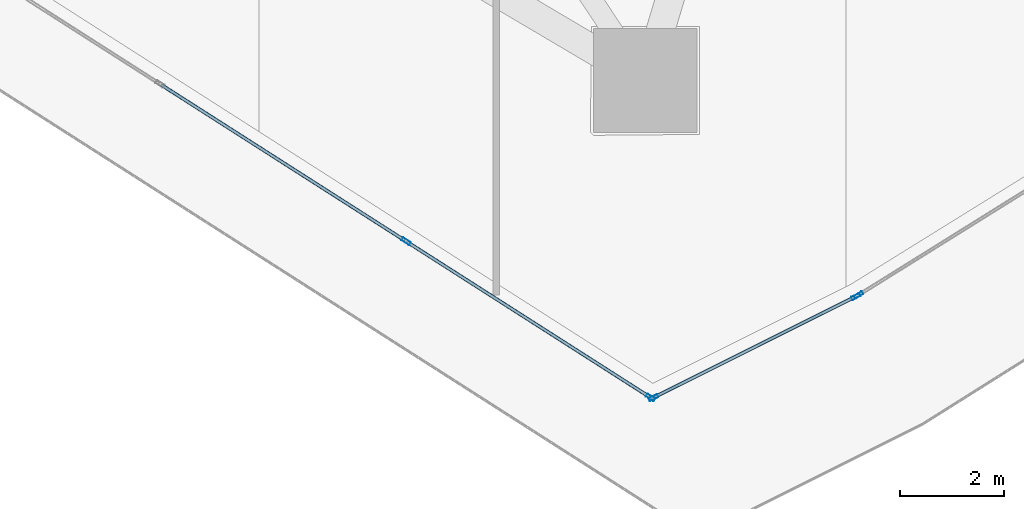
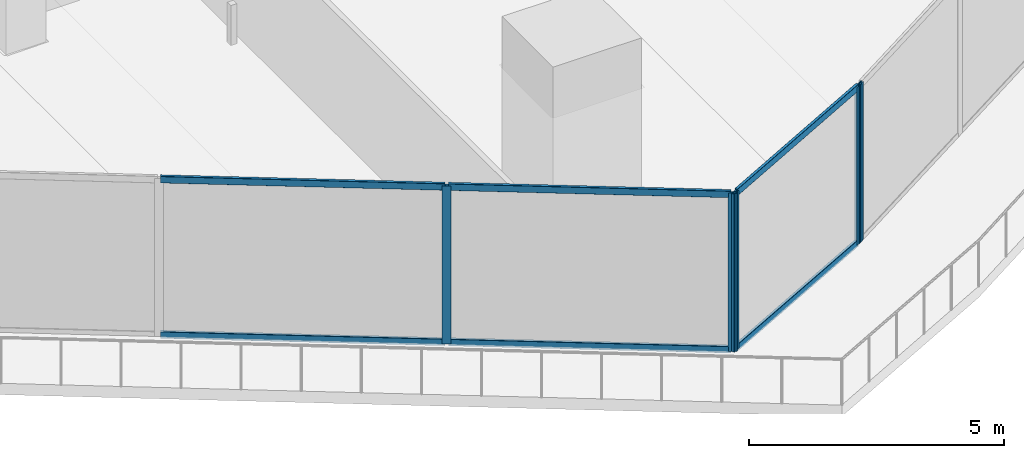
# One storey, part 9 of 37: 11 members, 3 elements without a shape of their own.
"""IFC4 building model written with IfcOpenShell, lengths in metres."""

from ifc_helpers import new_model, si_unit, direction, frame, origin, origin_2d, place, context, subcontext, project, spatial, hollow_rectangle, extrude, material, layer, layer_set, material_profile, profile_set, type_object, element, aggregate, save


model = new_model("IFC4")

# Units and contexts
model_context = context("Model", 3, precision=1e-05, world=origin(), true_north=direction((0.0, 1.0)))
body_context = subcontext(model_context, "Body", "Model", "MODEL_VIEW")
ifc_project = project(units=[si_unit("LENGTHUNIT", "METRE"), si_unit("AREAUNIT", "SQUARE_METRE"), si_unit("VOLUMEUNIT", "CUBIC_METRE"), si_unit("PLANEANGLEUNIT", "RADIAN"), si_unit("MASSUNIT", "GRAM", prefix="KILO")], contexts=[model_context])

# Site, building, storey
site_placement = place(None, origin())
site = spatial("IfcSite", under=ifc_project, at=site_placement, CompositionType="ELEMENT")
building_placement = place(site_placement, origin())
building = spatial("IfcBuilding", under=site, at=building_placement, Name="Qorvath Tower", CompositionType="ELEMENT")
storey_placement = place(building_placement, frame((0.0, 0.0, 196.949951171875)))
storey = spatial("IfcBuildingStorey", under=building, at=storey_placement, Name="L45", CompositionType="ELEMENT", Elevation=196.949951171875)

# Curtain wall, members
ifc_material_1 = material(Name="Anodised aluminium and triple low-E glass", Category="aluminium")
ifc_layer = layer(ifc_material_1, 0.179931640625)
ifc_layer_set = layer_set([ifc_layer], Name="CW-SYS-3")
curtain_wall_type = type_object("IfcCurtainWallType", Name="CW-SYS-3", PredefinedType="NOTDEFINED", material=ifc_layer_set)
curtain_wall_1_placement = place(storey_placement, origin())
curtain_wall_1 = element("IfcCurtainWall", 1, at=curtain_wall_1_placement, inside=storey, type_object=curtain_wall_type, Name="Curtain Wall CW-3 CW-T-L45-2.1", PredefinedType="NOTDEFINED")
ifc_material_2 = material(Name="Anodised aluminium 6063-T6", Category="aluminium")
ifc_material_profile_1 = material_profile(ifc_material_2, hollow_rectangle(XDim=0.06494140625, YDim=0.179931640625, WallThickness=0.00341796875, InnerFilletRadius=0.00341796875, OuterFilletRadius=0.007080078125, at=origin_2d()), Name="CWM 180x65")
ifc_profile_set_1 = profile_set([ifc_material_profile_1], Name="Anodised aluminium 6063-T6")
member_type_1 = type_object("IfcMemberType", Name="CWM-180", PredefinedType="MULLION", material=ifc_profile_set_1)
member_1_placement = place(storey_placement, frame((-21.495361328125, -24.733642578125, 0.0), z_axis=(0.0, 0.0, 1.0), x_axis=(0.538533623725, 0.842604020948, 0.0)))
member_1 = element("IfcMember", 2, at=member_1_placement, type_object=member_type_1, Name="CW-3 mullion 8", PredefinedType="MULLION", context=body_context, shape_type="SweptSolid", body=[
    extrude(hollow_rectangle(XDim=0.06494140625, YDim=0.179931640625, WallThickness=0.00341796875, InnerFilletRadius=0.00341796875, OuterFilletRadius=0.007080078125, at=origin_2d()), origin(), (0.0, 0.0, 1.0), 3.780029296875),
])
member_2_placement = place(storey_placement, frame((-16.770263671875, -27.75341796875, 0.0), z_axis=(0.0, 0.0, 1.0), x_axis=(0.538533623725, 0.842604020948, 0.0)))
member_2 = element("IfcMember", 3, at=member_2_placement, type_object=member_type_1, Name="CW-3 mullion 9", PredefinedType="MULLION", context=body_context, shape_type="SweptSolid", body=[
    extrude(hollow_rectangle(XDim=0.06494140625, YDim=0.179931640625, WallThickness=0.00341796875, InnerFilletRadius=0.00341796875, OuterFilletRadius=0.007080078125, at=origin_2d()), origin(), (0.0, 0.0, 1.0), 3.780029296875),
])

curtain_wall_2_placement = place(storey_placement, origin())
curtain_wall_2 = element("IfcCurtainWall", 4, at=curtain_wall_2_placement, inside=storey, type_object=curtain_wall_type, Name="Curtain Wall CW-3 CW-T-L45-3.1", PredefinedType="NOTDEFINED")
member_3_placement = place(storey_placement, frame((-16.7138671875, -27.75634765625, 0.0), z_axis=(0.0, 0.0, 1.0), x_axis=(-0.44720457744, 0.894431699973, 0.0)))
member_3 = element("IfcMember", 5, at=member_3_placement, type_object=member_type_1, Name="CW-3 mullion 1", PredefinedType="MULLION", context=body_context, shape_type="SweptSolid", body=[
    extrude(hollow_rectangle(XDim=0.06494140625, YDim=0.179931640625, WallThickness=0.00341796875, InnerFilletRadius=0.00341796875, OuterFilletRadius=0.007080078125, at=origin_2d()), origin(), (0.0, 0.0, 1.0), 3.780029296875),
])
member_4_placement = place(storey_placement, frame((-12.8046875, -25.802001953125, 0.0), z_axis=(0.0, 0.0, 1.0), x_axis=(-0.44720457744, 0.894431699973, 0.0)))
member_4 = element("IfcMember", 6, at=member_4_placement, type_object=member_type_1, Name="CW-3 mullion 2", PredefinedType="MULLION", context=body_context, shape_type="SweptSolid", body=[
    extrude(hollow_rectangle(XDim=0.06494140625, YDim=0.179931640625, WallThickness=0.00341796875, InnerFilletRadius=0.00341796875, OuterFilletRadius=0.007080078125, at=origin_2d()), origin(), (0.0, 0.0, 1.0), 3.780029296875),
])

# Curtain wall, member
curtain_wall_3_placement = place(storey_placement, origin())
curtain_wall_3 = element("IfcCurtainWall", 7, at=curtain_wall_3_placement, inside=storey, type_object=curtain_wall_type, Name="Curtain Wall CW-3 CW-T-L45-4.1", PredefinedType="NOTDEFINED")
member_5_placement = place(storey_placement, frame((-12.748046875, -25.770263671875, 0.0), z_axis=(0.0, 0.0, 1.0), x_axis=(-0.529206179006, 0.848493264618, 0.0)))
member_5 = element("IfcMember", 8, at=member_5_placement, type_object=member_type_1, Name="CW-3 mullion 1", PredefinedType="MULLION", context=body_context, shape_type="SweptSolid", body=[
    extrude(hollow_rectangle(XDim=0.06494140625, YDim=0.179931640625, WallThickness=0.00341796875, InnerFilletRadius=0.00341796875, OuterFilletRadius=0.007080078125, at=origin_2d()), origin(), (0.0, 0.0, 1.0), 3.780029296875),
])
aggregate(curtain_wall_3, [member_5])

# Member
ifc_material_3 = material(Name="Anodised aluminium 6063-T6", Category="aluminium")
ifc_material_profile_2 = material_profile(ifc_material_3, hollow_rectangle(XDim=0.06494140625, YDim=0.159912109375, WallThickness=0.00341796875, InnerFilletRadius=0.00341796875, OuterFilletRadius=0.007080078125, at=origin_2d()), Name="CWT 160x65")
ifc_profile_set_2 = profile_set([ifc_material_profile_2], Name="Anodised aluminium 6063-T6")
member_type_2 = type_object("IfcMemberType", Name="CWT-160", PredefinedType="USERDEFINED", material=ifc_profile_set_2)
member_6_placement = place(storey_placement, frame((-26.220458984375, -21.713623046875, 0.032470703125), z_axis=(0.842606844645, -0.538529205667, 0.0), x_axis=(0.538529205667, 0.842606844645, 0.0)))
member_6 = element("IfcMember", 9, at=member_6_placement, type_object=member_type_2, Name="CW-3 transom 7.1", ObjectType="TRANSOM", PredefinedType="USERDEFINED", context=body_context, shape_type="SweptSolid", body=[
    extrude(hollow_rectangle(XDim=0.06494140625, YDim=0.159912109375, WallThickness=0.00341796875, InnerFilletRadius=0.00341796875, OuterFilletRadius=0.007080078125, at=origin_2d()), origin(), (0.0, 0.0, 1.0), 5.5751953125),
])

member_7_placement = place(storey_placement, frame((-26.220458984375, -21.713623046875, 3.74755859375), z_axis=(0.842606844645, -0.538529205667, 0.0), x_axis=(0.538529205667, 0.842606844645, 0.0)))
member_7 = element("IfcMember", 10, at=member_7_placement, type_object=member_type_2, Name="CW-3 transom 7.2", ObjectType="TRANSOM", PredefinedType="USERDEFINED", context=body_context, shape_type="SweptSolid", body=[
    extrude(hollow_rectangle(XDim=0.06494140625, YDim=0.159912109375, WallThickness=0.00341796875, InnerFilletRadius=0.00341796875, OuterFilletRadius=0.007080078125, at=origin_2d()), origin(), (0.0, 0.0, 1.0), 5.5751953125),
])

member_8_placement = place(storey_placement, frame((-21.468017578125, -24.7509765625, 0.032470703125), z_axis=(0.842595217297, -0.538547397903, 0.0), x_axis=(0.538547397903, 0.842595217297, 0.0)))
member_8 = element("IfcMember", 11, at=member_8_placement, type_object=member_type_2, Name="CW-3 transom 8.1", ObjectType="TRANSOM", PredefinedType="USERDEFINED", context=body_context, shape_type="SweptSolid", body=[
    extrude(hollow_rectangle(XDim=0.06494140625, YDim=0.159912109375, WallThickness=0.00341796875, InnerFilletRadius=0.00341796875, OuterFilletRadius=0.007080078125, at=origin_2d()), origin(), (0.0, 0.0, 1.0), 5.54296875),
])

member_9_placement = place(storey_placement, frame((-21.468017578125, -24.7509765625, 3.74755859375), z_axis=(0.842595217297, -0.538547397903, 0.0), x_axis=(0.538547397903, 0.842595217297, 0.0)))
member_9 = element("IfcMember", 12, at=member_9_placement, type_object=member_type_2, Name="CW-3 transom 8.2", ObjectType="TRANSOM", PredefinedType="USERDEFINED", context=body_context, shape_type="SweptSolid", body=[
    extrude(hollow_rectangle(XDim=0.06494140625, YDim=0.159912109375, WallThickness=0.00341796875, InnerFilletRadius=0.00341796875, OuterFilletRadius=0.007080078125, at=origin_2d()), origin(), (0.0, 0.0, 1.0), 5.54296875),
])

aggregate(curtain_wall_1, [member_1, member_2, member_6, member_7, member_8, member_9])

member_10_placement = place(storey_placement, frame((-16.684814453125, -27.741943359375, 0.032470703125), z_axis=(0.894427191, 0.4472135955, 0.0), x_axis=(-0.4472135955, 0.894427191, 0.0)))
member_10 = element("IfcMember", 13, at=member_10_placement, type_object=member_type_2, Name="CW-3 transom 1.1", ObjectType="TRANSOM", PredefinedType="USERDEFINED", context=body_context, shape_type="SweptSolid", body=[
    extrude(hollow_rectangle(XDim=0.06494140625, YDim=0.159912109375, WallThickness=0.00341796875, InnerFilletRadius=0.00341796875, OuterFilletRadius=0.007080078125, at=origin_2d()), origin(), (0.0, 0.0, 1.0), 4.3056640625),
])

member_11_placement = place(storey_placement, frame((-16.684814453125, -27.741943359375, 3.74755859375), z_axis=(0.894427191, 0.4472135955, 0.0), x_axis=(-0.4472135955, 0.894427191, 0.0)))
member_11 = element("IfcMember", 14, at=member_11_placement, type_object=member_type_2, Name="CW-3 transom 1.2", ObjectType="TRANSOM", PredefinedType="USERDEFINED", context=body_context, shape_type="SweptSolid", body=[
    extrude(hollow_rectangle(XDim=0.06494140625, YDim=0.159912109375, WallThickness=0.00341796875, InnerFilletRadius=0.00341796875, OuterFilletRadius=0.007080078125, at=origin_2d()), origin(), (0.0, 0.0, 1.0), 4.3056640625),
])

aggregate(curtain_wall_2, [member_3, member_4, member_10, member_11])

save(model, "model.ifc")
